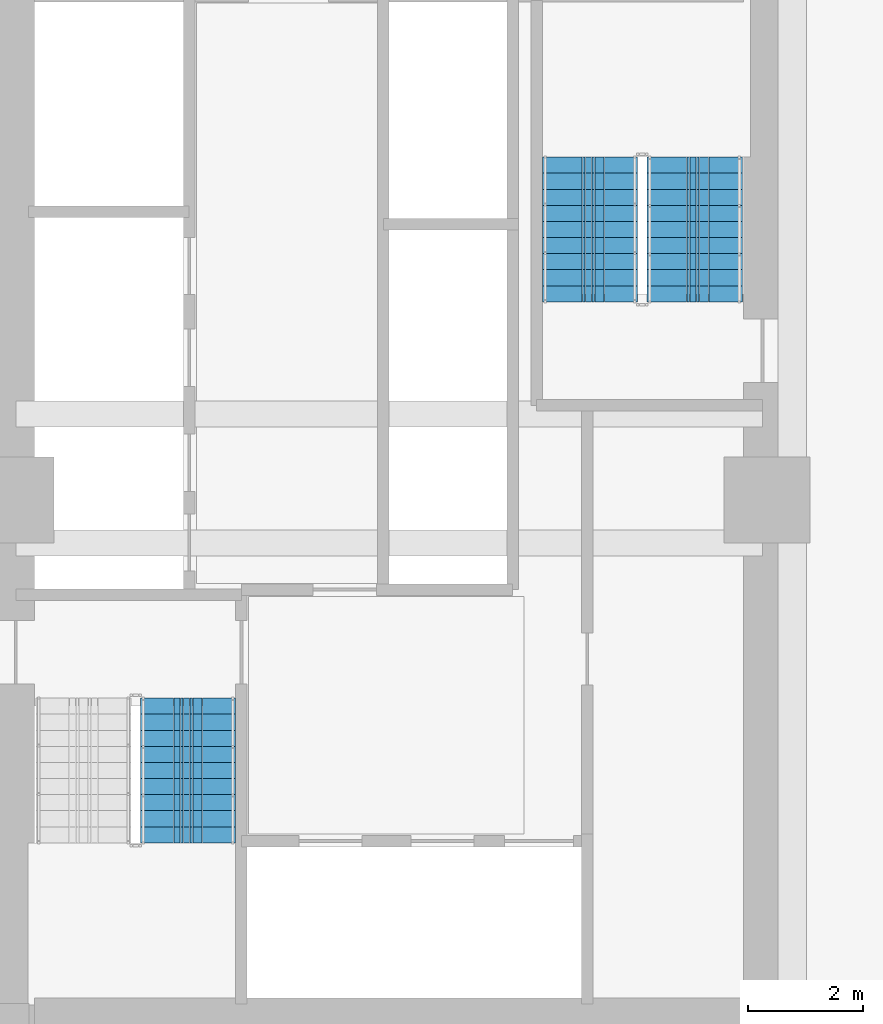
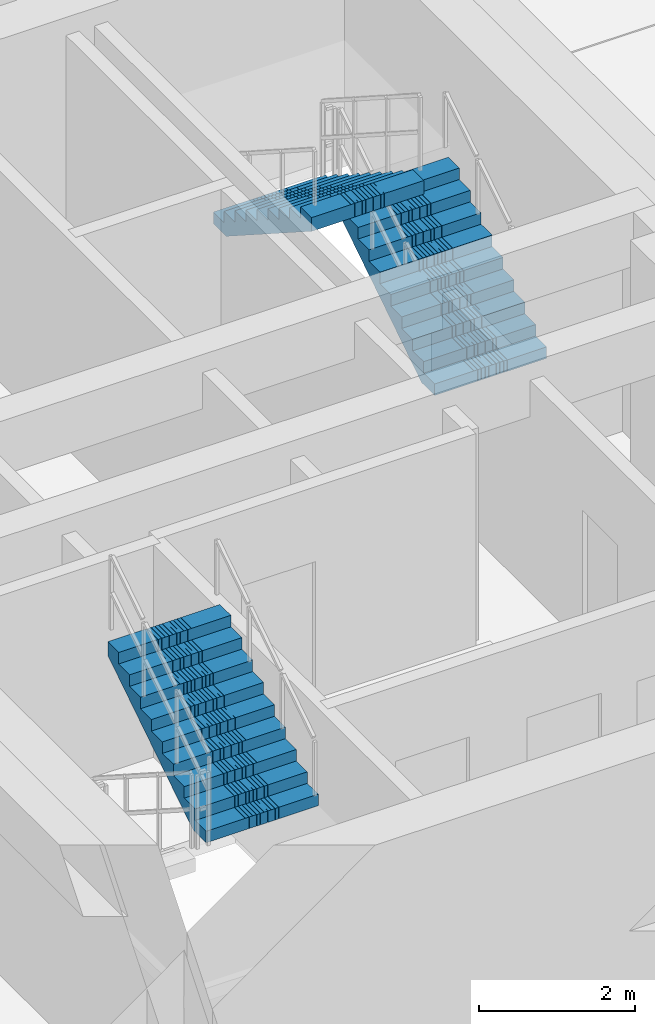
# One storey, part 19 of 27: 3 stair flights, 2 elements without a shape of their own.
"""IFC4 building model written with IfcOpenShell, lengths in metres."""

from ifc_helpers import new_model, si_unit, direction, frame, origin, place, context, subcontext, project, spatial, polyline, outline, extrude, material, type_object, element, aggregate, save


model = new_model("IFC4")

# Units and contexts
model_context = context("Model", 3, precision=1e-05, world=origin(), true_north=direction((0.0, 1.0)))
body_context = subcontext(model_context, "Body", "Model", "MODEL_VIEW")
ifc_project = project(units=[si_unit("LENGTHUNIT", "METRE"), si_unit("AREAUNIT", "SQUARE_METRE"), si_unit("VOLUMEUNIT", "CUBIC_METRE"), si_unit("PLANEANGLEUNIT", "RADIAN"), si_unit("MASSUNIT", "GRAM", prefix="KILO")], contexts=[model_context])

# Site, building, storey
site_placement = place(None, origin())
site = spatial("IfcSite", under=ifc_project, at=site_placement, CompositionType="ELEMENT")
building_placement = place(site_placement, origin())
building = spatial("IfcBuilding", under=site, at=building_placement, Name="Saelheon Loggia Tower", CompositionType="ELEMENT")
storey_placement = place(building_placement, frame((0.0, 0.0, 4.199951171875)))
storey = spatial("IfcBuildingStorey", under=building, at=storey_placement, Name="L01", CompositionType="ELEMENT", Elevation=4.199951171875)

# Stair, stair flight
ifc_material = material(Name="Concrete C40/50", Category="concrete")
stair_type = type_object("IfcStairType", Name="Stair_Escape_Core", PredefinedType="HALF_TURN_STAIR", material=ifc_material)
stair_1_placement = place(storey_placement, origin())
stair_1 = element("IfcStair", 1, at=stair_1_placement, inside=storey, type_object=stair_type, Name="L01 Special Escape Stair ST1", PredefinedType="HALF_TURN_STAIR")
stair_flight_type = type_object("IfcStairFlightType", Name="StairFlight_Tower_1660", PredefinedType="STRAIGHT", material=ifc_material)
stair_flight_1_placement = place(storey_placement, frame((34.5, 21.030029296875, 1.800048828125), z_axis=(0.0, 0.0, 1.0), x_axis=(0.0, 1.0, 0.0)))
stair_flight_1 = element("IfcStairFlight", 2, at=stair_flight_1_placement, type_object=stair_flight_type, Name="ST1 flight 2", NumberOfRisers=10, NumberOfTreads=9, PredefinedType="STRAIGHT", RiserHeight=0.18, TreadLength=0.28, context=body_context, shape_type="SweptSolid", body=[
    extrude(outline(polyline([(0.0, 0.0), (0.0, 0.179931640625), (0.280029296875, 0.179931640625), (0.280029296875, 0.360107421875), (0.56005859375, 0.360107421875), (0.56005859375, 0.5400390625), (0.840087890625, 0.5400390625), (0.840087890625, 0.719970703125), (1.1201171875, 0.719970703125), (1.1201171875, 0.89990234375), (1.39990234375, 0.89990234375), (1.39990234375, 1.080078125), (1.679931640625, 1.080078125), (1.679931640625, 1.260009765625), (1.9599609375, 1.260009765625), (1.9599609375, 1.43994140625), (2.239990234375, 1.43994140625), (2.239990234375, 1.6201171875), (2.52001953125, 1.6201171875), (2.52001953125, 1.800048828125), (2.52001953125, 1.406005859375), (0.332763671875, 0.0), (0.0, 0.0)])), frame((0.0, -0.2490234375, 0.0), z_axis=(0.0, -1.0, 0.0), x_axis=(1.0, 0.0, 0.0)), (0.0, 0.0, 1.0), 0.5810546875),
    extrude(outline(polyline([(0.0, 0.0), (0.0, 0.179931640625), (0.280029296875, 0.179931640625), (0.280029296875, 0.360107421875), (0.56005859375, 0.360107421875), (0.56005859375, 0.5400390625), (0.840087890625, 0.5400390625), (0.840087890625, 0.719970703125), (1.1201171875, 0.719970703125), (1.1201171875, 0.89990234375), (1.39990234375, 0.89990234375), (1.39990234375, 1.080078125), (1.679931640625, 1.080078125), (1.679931640625, 1.260009765625), (1.9599609375, 1.260009765625), (1.9599609375, 1.43994140625), (2.239990234375, 1.43994140625), (2.239990234375, 1.6201171875), (2.52001953125, 1.6201171875), (2.52001953125, 1.800048828125), (2.52001953125, 1.406005859375), (0.332763671875, 0.0), (0.0, 0.0)])), frame((0.0, -0.194091796875, 0.0), z_axis=(0.0, -1.0, 0.0), x_axis=(1.0, 0.0, 0.0)), (0.0, 0.0, 1.0), 0.0498046875),
    extrude(outline(polyline([(0.0, 0.0), (0.0, 0.179931640625), (0.280029296875, 0.179931640625), (0.280029296875, 0.360107421875), (0.56005859375, 0.360107421875), (0.56005859375, 0.5400390625), (0.840087890625, 0.5400390625), (0.840087890625, 0.719970703125), (1.1201171875, 0.719970703125), (1.1201171875, 0.89990234375), (1.39990234375, 0.89990234375), (1.39990234375, 1.080078125), (1.679931640625, 1.080078125), (1.679931640625, 1.260009765625), (1.9599609375, 1.260009765625), (1.9599609375, 1.43994140625), (2.239990234375, 1.43994140625), (2.239990234375, 1.6201171875), (2.52001953125, 1.6201171875), (2.52001953125, 1.800048828125), (2.52001953125, 1.406005859375), (0.332763671875, 0.0), (0.0, 0.0)])), frame((0.0, -0.139404296875, 0.0), z_axis=(0.0, -1.0, 0.0), x_axis=(1.0, 0.0, 0.0)), (0.0, 0.0, 1.0), 0.0498046875),
    extrude(outline(polyline([(0.0, 0.0), (0.0, 0.179931640625), (0.280029296875, 0.179931640625), (0.280029296875, 0.360107421875), (0.56005859375, 0.360107421875), (0.56005859375, 0.5400390625), (0.840087890625, 0.5400390625), (0.840087890625, 0.719970703125), (1.1201171875, 0.719970703125), (1.1201171875, 0.89990234375), (1.39990234375, 0.89990234375), (1.39990234375, 1.080078125), (1.679931640625, 1.080078125), (1.679931640625, 1.260009765625), (1.9599609375, 1.260009765625), (1.9599609375, 1.43994140625), (2.239990234375, 1.43994140625), (2.239990234375, 1.6201171875), (2.52001953125, 1.6201171875), (2.52001953125, 1.800048828125), (2.52001953125, 1.406005859375), (0.332763671875, 0.0), (0.0, 0.0)])), frame((0.0, -0.084716796875, 0.0), z_axis=(0.0, -1.0, 0.0), x_axis=(1.0, 0.0, 0.0)), (0.0, 0.0, 1.0), 0.0498046875),
    extrude(outline(polyline([(0.0, 0.0), (0.0, 0.179931640625), (0.280029296875, 0.179931640625), (0.280029296875, 0.360107421875), (0.56005859375, 0.360107421875), (0.56005859375, 0.5400390625), (0.840087890625, 0.5400390625), (0.840087890625, 0.719970703125), (1.1201171875, 0.719970703125), (1.1201171875, 0.89990234375), (1.39990234375, 0.89990234375), (1.39990234375, 1.080078125), (1.679931640625, 1.080078125), (1.679931640625, 1.260009765625), (1.9599609375, 1.260009765625), (1.9599609375, 1.43994140625), (2.239990234375, 1.43994140625), (2.239990234375, 1.6201171875), (2.52001953125, 1.6201171875), (2.52001953125, 1.800048828125), (2.52001953125, 1.406005859375), (0.332763671875, 0.0), (0.0, 0.0)])), frame((0.0, -0.02978515625, 0.0), z_axis=(0.0, -1.0, 0.0), x_axis=(1.0, 0.0, 0.0)), (0.0, 0.0, 1.0), 0.0498046875),
    extrude(outline(polyline([(0.0, 0.0), (0.0, 0.179931640625), (0.280029296875, 0.179931640625), (0.280029296875, 0.360107421875), (0.56005859375, 0.360107421875), (0.56005859375, 0.5400390625), (0.840087890625, 0.5400390625), (0.840087890625, 0.719970703125), (1.1201171875, 0.719970703125), (1.1201171875, 0.89990234375), (1.39990234375, 0.89990234375), (1.39990234375, 1.080078125), (1.679931640625, 1.080078125), (1.679931640625, 1.260009765625), (1.9599609375, 1.260009765625), (1.9599609375, 1.43994140625), (2.239990234375, 1.43994140625), (2.239990234375, 1.6201171875), (2.52001953125, 1.6201171875), (2.52001953125, 1.800048828125), (2.52001953125, 1.406005859375), (0.332763671875, 0.0), (0.0, 0.0)])), frame((0.0, 0.02490234375, 0.0), z_axis=(0.0, -1.0, 0.0), x_axis=(1.0, 0.0, 0.0)), (0.0, 0.0, 1.0), 0.0498046875),
    extrude(outline(polyline([(0.0, 0.0), (0.0, 0.179931640625), (0.280029296875, 0.179931640625), (0.280029296875, 0.360107421875), (0.56005859375, 0.360107421875), (0.56005859375, 0.5400390625), (0.840087890625, 0.5400390625), (0.840087890625, 0.719970703125), (1.1201171875, 0.719970703125), (1.1201171875, 0.89990234375), (1.39990234375, 0.89990234375), (1.39990234375, 1.080078125), (1.679931640625, 1.080078125), (1.679931640625, 1.260009765625), (1.9599609375, 1.260009765625), (1.9599609375, 1.43994140625), (2.239990234375, 1.43994140625), (2.239990234375, 1.6201171875), (2.52001953125, 1.6201171875), (2.52001953125, 1.800048828125), (2.52001953125, 1.406005859375), (0.332763671875, 0.0), (0.0, 0.0)])), frame((0.0, 0.07958984375, 0.0), z_axis=(0.0, -1.0, 0.0), x_axis=(1.0, 0.0, 0.0)), (0.0, 0.0, 1.0), 0.0498046875),
    extrude(outline(polyline([(0.0, 0.0), (0.0, 0.179931640625), (0.280029296875, 0.179931640625), (0.280029296875, 0.360107421875), (0.56005859375, 0.360107421875), (0.56005859375, 0.5400390625), (0.840087890625, 0.5400390625), (0.840087890625, 0.719970703125), (1.1201171875, 0.719970703125), (1.1201171875, 0.89990234375), (1.39990234375, 0.89990234375), (1.39990234375, 1.080078125), (1.679931640625, 1.080078125), (1.679931640625, 1.260009765625), (1.9599609375, 1.260009765625), (1.9599609375, 1.43994140625), (2.239990234375, 1.43994140625), (2.239990234375, 1.6201171875), (2.52001953125, 1.6201171875), (2.52001953125, 1.800048828125), (2.52001953125, 1.406005859375), (0.332763671875, 0.0), (0.0, 0.0)])), frame((0.0, 0.134521484375, 0.0), z_axis=(0.0, -1.0, 0.0), x_axis=(1.0, 0.0, 0.0)), (0.0, 0.0, 1.0), 0.0498046875),
    extrude(outline(polyline([(0.0, 0.0), (0.0, 0.179931640625), (0.280029296875, 0.179931640625), (0.280029296875, 0.360107421875), (0.56005859375, 0.360107421875), (0.56005859375, 0.5400390625), (0.840087890625, 0.5400390625), (0.840087890625, 0.719970703125), (1.1201171875, 0.719970703125), (1.1201171875, 0.89990234375), (1.39990234375, 0.89990234375), (1.39990234375, 1.080078125), (1.679931640625, 1.080078125), (1.679931640625, 1.260009765625), (1.9599609375, 1.260009765625), (1.9599609375, 1.43994140625), (2.239990234375, 1.43994140625), (2.239990234375, 1.6201171875), (2.52001953125, 1.6201171875), (2.52001953125, 1.800048828125), (2.52001953125, 1.406005859375), (0.332763671875, 0.0), (0.0, 0.0)])), frame((0.0, 0.189208984375, 0.0), z_axis=(0.0, -1.0, 0.0), x_axis=(1.0, 0.0, 0.0)), (0.0, 0.0, 1.0), 0.0498046875),
    extrude(outline(polyline([(0.0, 0.0), (0.0, 0.179931640625), (0.280029296875, 0.179931640625), (0.280029296875, 0.360107421875), (0.56005859375, 0.360107421875), (0.56005859375, 0.5400390625), (0.840087890625, 0.5400390625), (0.840087890625, 0.719970703125), (1.1201171875, 0.719970703125), (1.1201171875, 0.89990234375), (1.39990234375, 0.89990234375), (1.39990234375, 1.080078125), (1.679931640625, 1.080078125), (1.679931640625, 1.260009765625), (1.9599609375, 1.260009765625), (1.9599609375, 1.43994140625), (2.239990234375, 1.43994140625), (2.239990234375, 1.6201171875), (2.52001953125, 1.6201171875), (2.52001953125, 1.800048828125), (2.52001953125, 1.406005859375), (0.332763671875, 0.0), (0.0, 0.0)])), frame((0.0, 0.243896484375, 0.0), z_axis=(0.0, -1.0, 0.0), x_axis=(1.0, 0.0, 0.0)), (0.0, 0.0, 1.0), 0.0498046875),
    extrude(outline(polyline([(0.0, 0.0), (0.0, 0.179931640625), (0.280029296875, 0.179931640625), (0.280029296875, 0.360107421875), (0.56005859375, 0.360107421875), (0.56005859375, 0.5400390625), (0.840087890625, 0.5400390625), (0.840087890625, 0.719970703125), (1.1201171875, 0.719970703125), (1.1201171875, 0.89990234375), (1.39990234375, 0.89990234375), (1.39990234375, 1.080078125), (1.679931640625, 1.080078125), (1.679931640625, 1.260009765625), (1.9599609375, 1.260009765625), (1.9599609375, 1.43994140625), (2.239990234375, 1.43994140625), (2.239990234375, 1.6201171875), (2.52001953125, 1.6201171875), (2.52001953125, 1.800048828125), (2.52001953125, 1.406005859375), (0.332763671875, 0.0), (0.0, 0.0)])), frame((0.0, 0.830078125, 0.0), z_axis=(0.0, -1.0, 0.0), x_axis=(1.0, 0.0, 0.0)), (0.0, 0.0, 1.0), 0.5810546875),
])
aggregate(stair_1, [stair_flight_1])

# Stair, stair flights
stair_2_placement = place(storey_placement, origin())
stair_2 = element("IfcStair", 3, at=stair_2_placement, inside=storey, type_object=stair_type, Name="L01 Special Escape Stair ST2", PredefinedType="HALF_TURN_STAIR")
stair_flight_2_placement = place(storey_placement, frame((43.320068359375, 30.449951171875, 0.0), z_axis=(0.0, 0.0, 1.0), x_axis=(0.0, 1.0, 0.0)))
stair_flight_2 = element("IfcStairFlight", 4, at=stair_flight_2_placement, type_object=stair_flight_type, Name="ST2 flight 1", NumberOfRisers=10, NumberOfTreads=9, PredefinedType="STRAIGHT", RiserHeight=0.18, TreadLength=0.28, context=body_context, shape_type="SweptSolid", body=[
    extrude(outline(polyline([(0.0, 0.0), (0.0, 0.179931640625), (0.280029296875, 0.179931640625), (0.280029296875, 0.360107421875), (0.56005859375, 0.360107421875), (0.56005859375, 0.5400390625), (0.840087890625, 0.5400390625), (0.840087890625, 0.719970703125), (1.1201171875, 0.719970703125), (1.1201171875, 0.89990234375), (1.39990234375, 0.89990234375), (1.39990234375, 1.080078125), (1.679931640625, 1.080078125), (1.679931640625, 1.260009765625), (1.9599609375, 1.260009765625), (1.9599609375, 1.43994140625), (2.239990234375, 1.43994140625), (2.239990234375, 1.6201171875), (2.52001953125, 1.6201171875), (2.52001953125, 1.800048828125), (2.52001953125, 1.406005859375), (0.332763671875, 0.0), (0.0, 0.0)])), frame((0.0, -0.2490234375, 0.0), z_axis=(0.0, -1.0, 0.0), x_axis=(1.0, 0.0, 0.0)), (0.0, 0.0, 1.0), 0.5810546875),
    extrude(outline(polyline([(0.0, 0.0), (0.0, 0.179931640625), (0.280029296875, 0.179931640625), (0.280029296875, 0.360107421875), (0.56005859375, 0.360107421875), (0.56005859375, 0.5400390625), (0.840087890625, 0.5400390625), (0.840087890625, 0.719970703125), (1.1201171875, 0.719970703125), (1.1201171875, 0.89990234375), (1.39990234375, 0.89990234375), (1.39990234375, 1.080078125), (1.679931640625, 1.080078125), (1.679931640625, 1.260009765625), (1.9599609375, 1.260009765625), (1.9599609375, 1.43994140625), (2.239990234375, 1.43994140625), (2.239990234375, 1.6201171875), (2.52001953125, 1.6201171875), (2.52001953125, 1.800048828125), (2.52001953125, 1.406005859375), (0.332763671875, 0.0), (0.0, 0.0)])), frame((0.0, -0.194091796875, 0.0), z_axis=(0.0, -1.0, 0.0), x_axis=(1.0, 0.0, 0.0)), (0.0, 0.0, 1.0), 0.0498046875),
    extrude(outline(polyline([(0.0, 0.0), (0.0, 0.179931640625), (0.280029296875, 0.179931640625), (0.280029296875, 0.360107421875), (0.56005859375, 0.360107421875), (0.56005859375, 0.5400390625), (0.840087890625, 0.5400390625), (0.840087890625, 0.719970703125), (1.1201171875, 0.719970703125), (1.1201171875, 0.89990234375), (1.39990234375, 0.89990234375), (1.39990234375, 1.080078125), (1.679931640625, 1.080078125), (1.679931640625, 1.260009765625), (1.9599609375, 1.260009765625), (1.9599609375, 1.43994140625), (2.239990234375, 1.43994140625), (2.239990234375, 1.6201171875), (2.52001953125, 1.6201171875), (2.52001953125, 1.800048828125), (2.52001953125, 1.406005859375), (0.332763671875, 0.0), (0.0, 0.0)])), frame((0.0, -0.139404296875, 0.0), z_axis=(0.0, -1.0, 0.0), x_axis=(1.0, 0.0, 0.0)), (0.0, 0.0, 1.0), 0.0498046875),
    extrude(outline(polyline([(0.0, 0.0), (0.0, 0.179931640625), (0.280029296875, 0.179931640625), (0.280029296875, 0.360107421875), (0.56005859375, 0.360107421875), (0.56005859375, 0.5400390625), (0.840087890625, 0.5400390625), (0.840087890625, 0.719970703125), (1.1201171875, 0.719970703125), (1.1201171875, 0.89990234375), (1.39990234375, 0.89990234375), (1.39990234375, 1.080078125), (1.679931640625, 1.080078125), (1.679931640625, 1.260009765625), (1.9599609375, 1.260009765625), (1.9599609375, 1.43994140625), (2.239990234375, 1.43994140625), (2.239990234375, 1.6201171875), (2.52001953125, 1.6201171875), (2.52001953125, 1.800048828125), (2.52001953125, 1.406005859375), (0.332763671875, 0.0), (0.0, 0.0)])), frame((0.0, -0.084716796875, 0.0), z_axis=(0.0, -1.0, 0.0), x_axis=(1.0, 0.0, 0.0)), (0.0, 0.0, 1.0), 0.0498046875),
    extrude(outline(polyline([(0.0, 0.0), (0.0, 0.179931640625), (0.280029296875, 0.179931640625), (0.280029296875, 0.360107421875), (0.56005859375, 0.360107421875), (0.56005859375, 0.5400390625), (0.840087890625, 0.5400390625), (0.840087890625, 0.719970703125), (1.1201171875, 0.719970703125), (1.1201171875, 0.89990234375), (1.39990234375, 0.89990234375), (1.39990234375, 1.080078125), (1.679931640625, 1.080078125), (1.679931640625, 1.260009765625), (1.9599609375, 1.260009765625), (1.9599609375, 1.43994140625), (2.239990234375, 1.43994140625), (2.239990234375, 1.6201171875), (2.52001953125, 1.6201171875), (2.52001953125, 1.800048828125), (2.52001953125, 1.406005859375), (0.332763671875, 0.0), (0.0, 0.0)])), frame((0.0, -0.02978515625, 0.0), z_axis=(0.0, -1.0, 0.0), x_axis=(1.0, 0.0, 0.0)), (0.0, 0.0, 1.0), 0.0498046875),
    extrude(outline(polyline([(0.0, 0.0), (0.0, 0.179931640625), (0.280029296875, 0.179931640625), (0.280029296875, 0.360107421875), (0.56005859375, 0.360107421875), (0.56005859375, 0.5400390625), (0.840087890625, 0.5400390625), (0.840087890625, 0.719970703125), (1.1201171875, 0.719970703125), (1.1201171875, 0.89990234375), (1.39990234375, 0.89990234375), (1.39990234375, 1.080078125), (1.679931640625, 1.080078125), (1.679931640625, 1.260009765625), (1.9599609375, 1.260009765625), (1.9599609375, 1.43994140625), (2.239990234375, 1.43994140625), (2.239990234375, 1.6201171875), (2.52001953125, 1.6201171875), (2.52001953125, 1.800048828125), (2.52001953125, 1.406005859375), (0.332763671875, 0.0), (0.0, 0.0)])), frame((0.0, 0.02490234375, 0.0), z_axis=(0.0, -1.0, 0.0), x_axis=(1.0, 0.0, 0.0)), (0.0, 0.0, 1.0), 0.0498046875),
    extrude(outline(polyline([(0.0, 0.0), (0.0, 0.179931640625), (0.280029296875, 0.179931640625), (0.280029296875, 0.360107421875), (0.56005859375, 0.360107421875), (0.56005859375, 0.5400390625), (0.840087890625, 0.5400390625), (0.840087890625, 0.719970703125), (1.1201171875, 0.719970703125), (1.1201171875, 0.89990234375), (1.39990234375, 0.89990234375), (1.39990234375, 1.080078125), (1.679931640625, 1.080078125), (1.679931640625, 1.260009765625), (1.9599609375, 1.260009765625), (1.9599609375, 1.43994140625), (2.239990234375, 1.43994140625), (2.239990234375, 1.6201171875), (2.52001953125, 1.6201171875), (2.52001953125, 1.800048828125), (2.52001953125, 1.406005859375), (0.332763671875, 0.0), (0.0, 0.0)])), frame((0.0, 0.07958984375, 0.0), z_axis=(0.0, -1.0, 0.0), x_axis=(1.0, 0.0, 0.0)), (0.0, 0.0, 1.0), 0.0498046875),
    extrude(outline(polyline([(0.0, 0.0), (0.0, 0.179931640625), (0.280029296875, 0.179931640625), (0.280029296875, 0.360107421875), (0.56005859375, 0.360107421875), (0.56005859375, 0.5400390625), (0.840087890625, 0.5400390625), (0.840087890625, 0.719970703125), (1.1201171875, 0.719970703125), (1.1201171875, 0.89990234375), (1.39990234375, 0.89990234375), (1.39990234375, 1.080078125), (1.679931640625, 1.080078125), (1.679931640625, 1.260009765625), (1.9599609375, 1.260009765625), (1.9599609375, 1.43994140625), (2.239990234375, 1.43994140625), (2.239990234375, 1.6201171875), (2.52001953125, 1.6201171875), (2.52001953125, 1.800048828125), (2.52001953125, 1.406005859375), (0.332763671875, 0.0), (0.0, 0.0)])), frame((0.0, 0.134521484375, 0.0), z_axis=(0.0, -1.0, 0.0), x_axis=(1.0, 0.0, 0.0)), (0.0, 0.0, 1.0), 0.0498046875),
    extrude(outline(polyline([(0.0, 0.0), (0.0, 0.179931640625), (0.280029296875, 0.179931640625), (0.280029296875, 0.360107421875), (0.56005859375, 0.360107421875), (0.56005859375, 0.5400390625), (0.840087890625, 0.5400390625), (0.840087890625, 0.719970703125), (1.1201171875, 0.719970703125), (1.1201171875, 0.89990234375), (1.39990234375, 0.89990234375), (1.39990234375, 1.080078125), (1.679931640625, 1.080078125), (1.679931640625, 1.260009765625), (1.9599609375, 1.260009765625), (1.9599609375, 1.43994140625), (2.239990234375, 1.43994140625), (2.239990234375, 1.6201171875), (2.52001953125, 1.6201171875), (2.52001953125, 1.800048828125), (2.52001953125, 1.406005859375), (0.332763671875, 0.0), (0.0, 0.0)])), frame((0.0, 0.189208984375, 0.0), z_axis=(0.0, -1.0, 0.0), x_axis=(1.0, 0.0, 0.0)), (0.0, 0.0, 1.0), 0.0498046875),
    extrude(outline(polyline([(0.0, 0.0), (0.0, 0.179931640625), (0.280029296875, 0.179931640625), (0.280029296875, 0.360107421875), (0.56005859375, 0.360107421875), (0.56005859375, 0.5400390625), (0.840087890625, 0.5400390625), (0.840087890625, 0.719970703125), (1.1201171875, 0.719970703125), (1.1201171875, 0.89990234375), (1.39990234375, 0.89990234375), (1.39990234375, 1.080078125), (1.679931640625, 1.080078125), (1.679931640625, 1.260009765625), (1.9599609375, 1.260009765625), (1.9599609375, 1.43994140625), (2.239990234375, 1.43994140625), (2.239990234375, 1.6201171875), (2.52001953125, 1.6201171875), (2.52001953125, 1.800048828125), (2.52001953125, 1.406005859375), (0.332763671875, 0.0), (0.0, 0.0)])), frame((0.0, 0.243896484375, 0.0), z_axis=(0.0, -1.0, 0.0), x_axis=(1.0, 0.0, 0.0)), (0.0, 0.0, 1.0), 0.0498046875),
    extrude(outline(polyline([(0.0, 0.0), (0.0, 0.179931640625), (0.280029296875, 0.179931640625), (0.280029296875, 0.360107421875), (0.56005859375, 0.360107421875), (0.56005859375, 0.5400390625), (0.840087890625, 0.5400390625), (0.840087890625, 0.719970703125), (1.1201171875, 0.719970703125), (1.1201171875, 0.89990234375), (1.39990234375, 0.89990234375), (1.39990234375, 1.080078125), (1.679931640625, 1.080078125), (1.679931640625, 1.260009765625), (1.9599609375, 1.260009765625), (1.9599609375, 1.43994140625), (2.239990234375, 1.43994140625), (2.239990234375, 1.6201171875), (2.52001953125, 1.6201171875), (2.52001953125, 1.800048828125), (2.52001953125, 1.406005859375), (0.332763671875, 0.0), (0.0, 0.0)])), frame((0.0, 0.830078125, 0.0), z_axis=(0.0, -1.0, 0.0), x_axis=(1.0, 0.0, 0.0)), (0.0, 0.0, 1.0), 0.5810546875),
])
stair_flight_3_placement = place(storey_placement, frame((41.5, 32.969970703125, 1.800048828125), z_axis=(0.0, 0.0, 1.0), x_axis=(0.0, -1.0, 0.0)))
stair_flight_3 = element("IfcStairFlight", 5, at=stair_flight_3_placement, type_object=stair_flight_type, Name="ST2 flight 2", NumberOfRisers=10, NumberOfTreads=9, PredefinedType="STRAIGHT", RiserHeight=0.18, TreadLength=0.28, context=body_context, shape_type="SweptSolid", body=[
    extrude(outline(polyline([(0.0, 0.0), (0.0, 0.179931640625), (0.280029296875, 0.179931640625), (0.280029296875, 0.360107421875), (0.56005859375, 0.360107421875), (0.56005859375, 0.5400390625), (0.840087890625, 0.5400390625), (0.840087890625, 0.719970703125), (1.1201171875, 0.719970703125), (1.1201171875, 0.89990234375), (1.39990234375, 0.89990234375), (1.39990234375, 1.080078125), (1.679931640625, 1.080078125), (1.679931640625, 1.260009765625), (1.9599609375, 1.260009765625), (1.9599609375, 1.43994140625), (2.239990234375, 1.43994140625), (2.239990234375, 1.6201171875), (2.52001953125, 1.6201171875), (2.52001953125, 1.800048828125), (2.52001953125, 1.406005859375), (0.332763671875, 0.0), (0.0, 0.0)])), frame((0.0, -0.2490234375, 0.0), z_axis=(0.0, -1.0, 0.0), x_axis=(1.0, 0.0, 0.0)), (0.0, 0.0, 1.0), 0.5810546875),
    extrude(outline(polyline([(0.0, 0.0), (0.0, 0.179931640625), (0.280029296875, 0.179931640625), (0.280029296875, 0.360107421875), (0.56005859375, 0.360107421875), (0.56005859375, 0.5400390625), (0.840087890625, 0.5400390625), (0.840087890625, 0.719970703125), (1.1201171875, 0.719970703125), (1.1201171875, 0.89990234375), (1.39990234375, 0.89990234375), (1.39990234375, 1.080078125), (1.679931640625, 1.080078125), (1.679931640625, 1.260009765625), (1.9599609375, 1.260009765625), (1.9599609375, 1.43994140625), (2.239990234375, 1.43994140625), (2.239990234375, 1.6201171875), (2.52001953125, 1.6201171875), (2.52001953125, 1.800048828125), (2.52001953125, 1.406005859375), (0.332763671875, 0.0), (0.0, 0.0)])), frame((0.0, -0.194091796875, 0.0), z_axis=(0.0, -1.0, 0.0), x_axis=(1.0, 0.0, 0.0)), (0.0, 0.0, 1.0), 0.0498046875),
    extrude(outline(polyline([(0.0, 0.0), (0.0, 0.179931640625), (0.280029296875, 0.179931640625), (0.280029296875, 0.360107421875), (0.56005859375, 0.360107421875), (0.56005859375, 0.5400390625), (0.840087890625, 0.5400390625), (0.840087890625, 0.719970703125), (1.1201171875, 0.719970703125), (1.1201171875, 0.89990234375), (1.39990234375, 0.89990234375), (1.39990234375, 1.080078125), (1.679931640625, 1.080078125), (1.679931640625, 1.260009765625), (1.9599609375, 1.260009765625), (1.9599609375, 1.43994140625), (2.239990234375, 1.43994140625), (2.239990234375, 1.6201171875), (2.52001953125, 1.6201171875), (2.52001953125, 1.800048828125), (2.52001953125, 1.406005859375), (0.332763671875, 0.0), (0.0, 0.0)])), frame((0.0, -0.139404296875, 0.0), z_axis=(0.0, -1.0, 0.0), x_axis=(1.0, 0.0, 0.0)), (0.0, 0.0, 1.0), 0.0498046875),
    extrude(outline(polyline([(0.0, 0.0), (0.0, 0.179931640625), (0.280029296875, 0.179931640625), (0.280029296875, 0.360107421875), (0.56005859375, 0.360107421875), (0.56005859375, 0.5400390625), (0.840087890625, 0.5400390625), (0.840087890625, 0.719970703125), (1.1201171875, 0.719970703125), (1.1201171875, 0.89990234375), (1.39990234375, 0.89990234375), (1.39990234375, 1.080078125), (1.679931640625, 1.080078125), (1.679931640625, 1.260009765625), (1.9599609375, 1.260009765625), (1.9599609375, 1.43994140625), (2.239990234375, 1.43994140625), (2.239990234375, 1.6201171875), (2.52001953125, 1.6201171875), (2.52001953125, 1.800048828125), (2.52001953125, 1.406005859375), (0.332763671875, 0.0), (0.0, 0.0)])), frame((0.0, -0.084716796875, 0.0), z_axis=(0.0, -1.0, 0.0), x_axis=(1.0, 0.0, 0.0)), (0.0, 0.0, 1.0), 0.0498046875),
    extrude(outline(polyline([(0.0, 0.0), (0.0, 0.179931640625), (0.280029296875, 0.179931640625), (0.280029296875, 0.360107421875), (0.56005859375, 0.360107421875), (0.56005859375, 0.5400390625), (0.840087890625, 0.5400390625), (0.840087890625, 0.719970703125), (1.1201171875, 0.719970703125), (1.1201171875, 0.89990234375), (1.39990234375, 0.89990234375), (1.39990234375, 1.080078125), (1.679931640625, 1.080078125), (1.679931640625, 1.260009765625), (1.9599609375, 1.260009765625), (1.9599609375, 1.43994140625), (2.239990234375, 1.43994140625), (2.239990234375, 1.6201171875), (2.52001953125, 1.6201171875), (2.52001953125, 1.800048828125), (2.52001953125, 1.406005859375), (0.332763671875, 0.0), (0.0, 0.0)])), frame((0.0, -0.02978515625, 0.0), z_axis=(0.0, -1.0, 0.0), x_axis=(1.0, 0.0, 0.0)), (0.0, 0.0, 1.0), 0.0498046875),
    extrude(outline(polyline([(0.0, 0.0), (0.0, 0.179931640625), (0.280029296875, 0.179931640625), (0.280029296875, 0.360107421875), (0.56005859375, 0.360107421875), (0.56005859375, 0.5400390625), (0.840087890625, 0.5400390625), (0.840087890625, 0.719970703125), (1.1201171875, 0.719970703125), (1.1201171875, 0.89990234375), (1.39990234375, 0.89990234375), (1.39990234375, 1.080078125), (1.679931640625, 1.080078125), (1.679931640625, 1.260009765625), (1.9599609375, 1.260009765625), (1.9599609375, 1.43994140625), (2.239990234375, 1.43994140625), (2.239990234375, 1.6201171875), (2.52001953125, 1.6201171875), (2.52001953125, 1.800048828125), (2.52001953125, 1.406005859375), (0.332763671875, 0.0), (0.0, 0.0)])), frame((0.0, 0.02490234375, 0.0), z_axis=(0.0, -1.0, 0.0), x_axis=(1.0, 0.0, 0.0)), (0.0, 0.0, 1.0), 0.0498046875),
    extrude(outline(polyline([(0.0, 0.0), (0.0, 0.179931640625), (0.280029296875, 0.179931640625), (0.280029296875, 0.360107421875), (0.56005859375, 0.360107421875), (0.56005859375, 0.5400390625), (0.840087890625, 0.5400390625), (0.840087890625, 0.719970703125), (1.1201171875, 0.719970703125), (1.1201171875, 0.89990234375), (1.39990234375, 0.89990234375), (1.39990234375, 1.080078125), (1.679931640625, 1.080078125), (1.679931640625, 1.260009765625), (1.9599609375, 1.260009765625), (1.9599609375, 1.43994140625), (2.239990234375, 1.43994140625), (2.239990234375, 1.6201171875), (2.52001953125, 1.6201171875), (2.52001953125, 1.800048828125), (2.52001953125, 1.406005859375), (0.332763671875, 0.0), (0.0, 0.0)])), frame((0.0, 0.07958984375, 0.0), z_axis=(0.0, -1.0, 0.0), x_axis=(1.0, 0.0, 0.0)), (0.0, 0.0, 1.0), 0.0498046875),
    extrude(outline(polyline([(0.0, 0.0), (0.0, 0.179931640625), (0.280029296875, 0.179931640625), (0.280029296875, 0.360107421875), (0.56005859375, 0.360107421875), (0.56005859375, 0.5400390625), (0.840087890625, 0.5400390625), (0.840087890625, 0.719970703125), (1.1201171875, 0.719970703125), (1.1201171875, 0.89990234375), (1.39990234375, 0.89990234375), (1.39990234375, 1.080078125), (1.679931640625, 1.080078125), (1.679931640625, 1.260009765625), (1.9599609375, 1.260009765625), (1.9599609375, 1.43994140625), (2.239990234375, 1.43994140625), (2.239990234375, 1.6201171875), (2.52001953125, 1.6201171875), (2.52001953125, 1.800048828125), (2.52001953125, 1.406005859375), (0.332763671875, 0.0), (0.0, 0.0)])), frame((0.0, 0.134521484375, 0.0), z_axis=(0.0, -1.0, 0.0), x_axis=(1.0, 0.0, 0.0)), (0.0, 0.0, 1.0), 0.0498046875),
    extrude(outline(polyline([(0.0, 0.0), (0.0, 0.179931640625), (0.280029296875, 0.179931640625), (0.280029296875, 0.360107421875), (0.56005859375, 0.360107421875), (0.56005859375, 0.5400390625), (0.840087890625, 0.5400390625), (0.840087890625, 0.719970703125), (1.1201171875, 0.719970703125), (1.1201171875, 0.89990234375), (1.39990234375, 0.89990234375), (1.39990234375, 1.080078125), (1.679931640625, 1.080078125), (1.679931640625, 1.260009765625), (1.9599609375, 1.260009765625), (1.9599609375, 1.43994140625), (2.239990234375, 1.43994140625), (2.239990234375, 1.6201171875), (2.52001953125, 1.6201171875), (2.52001953125, 1.800048828125), (2.52001953125, 1.406005859375), (0.332763671875, 0.0), (0.0, 0.0)])), frame((0.0, 0.189208984375, 0.0), z_axis=(0.0, -1.0, 0.0), x_axis=(1.0, 0.0, 0.0)), (0.0, 0.0, 1.0), 0.0498046875),
    extrude(outline(polyline([(0.0, 0.0), (0.0, 0.179931640625), (0.280029296875, 0.179931640625), (0.280029296875, 0.360107421875), (0.56005859375, 0.360107421875), (0.56005859375, 0.5400390625), (0.840087890625, 0.5400390625), (0.840087890625, 0.719970703125), (1.1201171875, 0.719970703125), (1.1201171875, 0.89990234375), (1.39990234375, 0.89990234375), (1.39990234375, 1.080078125), (1.679931640625, 1.080078125), (1.679931640625, 1.260009765625), (1.9599609375, 1.260009765625), (1.9599609375, 1.43994140625), (2.239990234375, 1.43994140625), (2.239990234375, 1.6201171875), (2.52001953125, 1.6201171875), (2.52001953125, 1.800048828125), (2.52001953125, 1.406005859375), (0.332763671875, 0.0), (0.0, 0.0)])), frame((0.0, 0.243896484375, 0.0), z_axis=(0.0, -1.0, 0.0), x_axis=(1.0, 0.0, 0.0)), (0.0, 0.0, 1.0), 0.0498046875),
    extrude(outline(polyline([(0.0, 0.0), (0.0, 0.179931640625), (0.280029296875, 0.179931640625), (0.280029296875, 0.360107421875), (0.56005859375, 0.360107421875), (0.56005859375, 0.5400390625), (0.840087890625, 0.5400390625), (0.840087890625, 0.719970703125), (1.1201171875, 0.719970703125), (1.1201171875, 0.89990234375), (1.39990234375, 0.89990234375), (1.39990234375, 1.080078125), (1.679931640625, 1.080078125), (1.679931640625, 1.260009765625), (1.9599609375, 1.260009765625), (1.9599609375, 1.43994140625), (2.239990234375, 1.43994140625), (2.239990234375, 1.6201171875), (2.52001953125, 1.6201171875), (2.52001953125, 1.800048828125), (2.52001953125, 1.406005859375), (0.332763671875, 0.0), (0.0, 0.0)])), frame((0.0, 0.830078125, 0.0), z_axis=(0.0, -1.0, 0.0), x_axis=(1.0, 0.0, 0.0)), (0.0, 0.0, 1.0), 0.5810546875),
])
aggregate(stair_2, [stair_flight_2, stair_flight_3])

save(model, "model.ifc")
